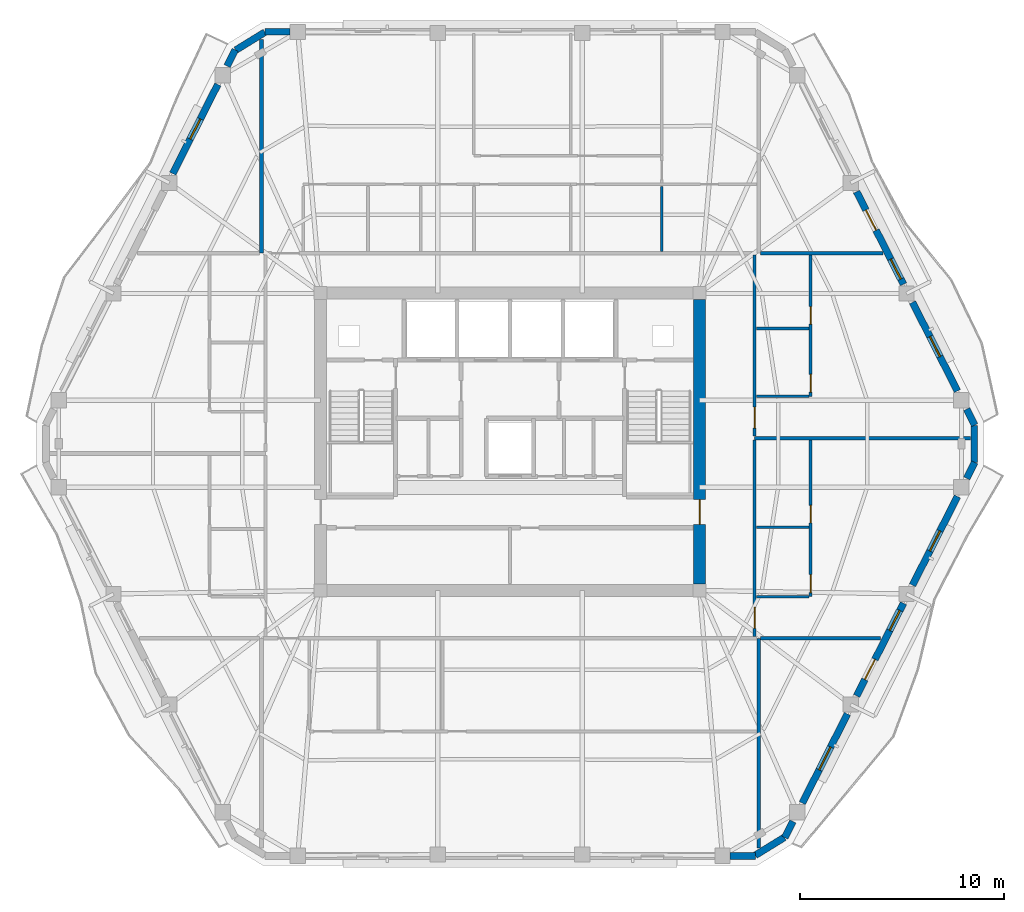
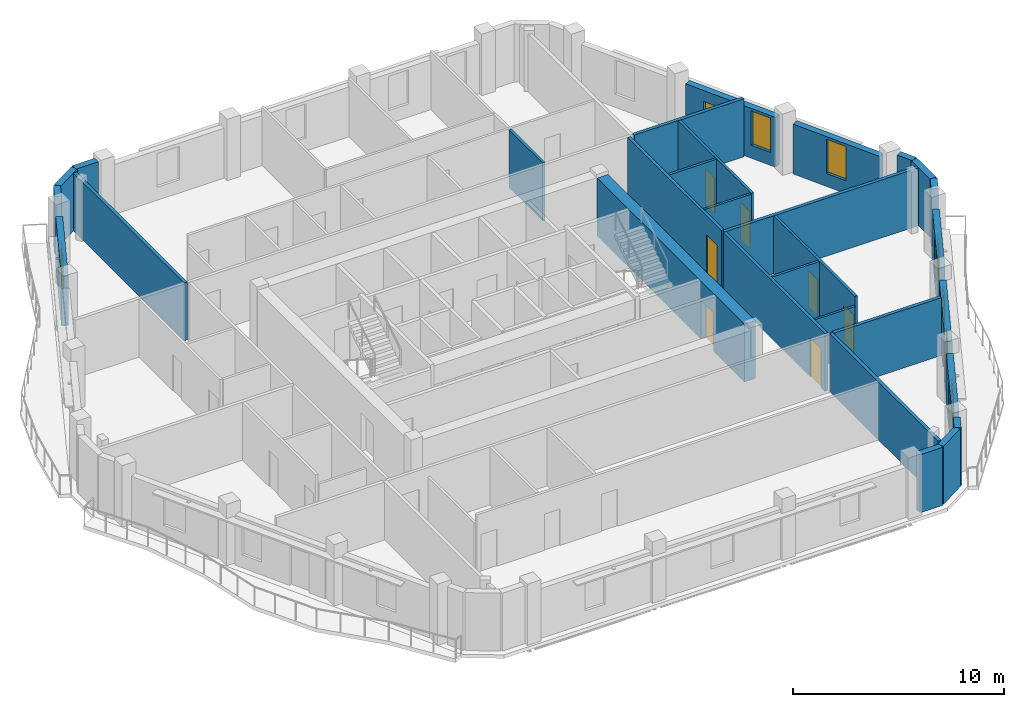
# One storey, part 6 of 11: 30 walls, 9 doors, 6 windows, 15 openings.
"""IFC4 building model written with IfcOpenShell, lengths in metres."""

import ifcopenshell
import ifcopenshell.guid

model = None  # the IFC model being written
_history = None  # IfcOwnerHistory: only IFC2X3 demands one
_inside = {}  # id of a spatial element -> (the spatial element, [elements in it])
_under = {}  # id of a project, library or spatial element -> (it, [spatial elements below it])
_declared = {}  # id of a project -> (the project, [libraries it declares])
_typed = {}  # id of a type object -> (the type object, [elements of that type])
_made_of = {}  # id of a material, layer set ... -> (it, [elements and type objects made of it])


def new_model(schema):
    """Start an empty IFC model of exactly this schema.

    Asked for "IFC4X3", IfcOpenShell would pick the latest addendum, in which some entities
    have other attributes; the version numbers below select the first issue.
    IFC2X3 requires an IfcOwnerHistory on every rooted entity: one is made here for all.
    """
    global model, _history
    if schema == "IFC4X3":
        model = ifcopenshell.file(schema_version=(4, 3, 0, 0))
    else:
        model = ifcopenshell.file(schema=schema)
    _inside.clear()
    _under.clear()
    _declared.clear()
    _typed.clear()
    _made_of.clear()
    _history = None
    if model.schema == "IFC2X3":
        org = make("IfcOrganization", Name="unknown")
        user = make(
            "IfcPersonAndOrganization",
            ThePerson=make("IfcPerson", FamilyName="unknown"),
            TheOrganization=org,
        )
        app = make(
            "IfcApplication",
            ApplicationDeveloper=org,
            Version="unknown",
            ApplicationFullName="unknown",
            ApplicationIdentifier="unknown",
        )
        _history = make(
            "IfcOwnerHistory",
            OwningUser=user,
            OwningApplication=app,
            ChangeAction="ADDED",
            CreationDate=0,
        )
    return model


def make(cls, **values):
    """One entity of the class cls with the attributes given. An attribute that is None is left unset."""
    return model.create_entity(
        cls, **{name: value for name, value in values.items() if value is not None}
    )


def rooted(cls, **values):
    """An entity with a GlobalId (a new one), such as an element, a storey or a relation."""
    return make(cls, GlobalId=ifcopenshell.guid.new(), OwnerHistory=_history, **values)


def si_unit(unit_type, name, prefix=None):
    """IfcSIUnit, for example si_unit("LENGTHUNIT", "METRE", prefix="MILLI")."""
    return make("IfcSIUnit", UnitType=unit_type, Prefix=prefix, Name=name)


def assignment(units):
    """IfcUnitAssignment: the units of a project."""
    return None if units is None else make("IfcUnitAssignment", Units=units)


def point(xyz):
    """IfcCartesianPoint."""
    return None if xyz is None else make("IfcCartesianPoint", Coordinates=xyz)


def direction(xyz):
    """IfcDirection."""
    return None if xyz is None else make("IfcDirection", DirectionRatios=xyz)


def frame(location, z_axis=None, x_axis=None):
    """IfcAxis2Placement3D, a coordinate frame: its origin and axes. An axis left out is left unset."""
    return make(
        "IfcAxis2Placement3D",
        Location=point(location),
        Axis=direction(z_axis),
        RefDirection=direction(x_axis),
    )


def frame_2d(location, x_axis=None):
    """IfcAxis2Placement2D, a coordinate frame in the plane: its origin and x axis."""
    return make(
        "IfcAxis2Placement2D", Location=point(location), RefDirection=direction(x_axis)
    )


def origin():
    """The frame at (0, 0, 0) with its axes left unset."""
    return frame((0.0, 0.0, 0.0))


def place(relative_to, where):
    """IfcLocalPlacement: puts the frame where relative to a parent placement (None: the world)."""
    return make(
        "IfcLocalPlacement", PlacementRelTo=relative_to, RelativePlacement=where
    )


def context(
    kind, dimensions, precision=None, world=None, true_north=None, identifier=None
):
    """IfcGeometricRepresentationContext, for example the 3D "Model" context."""
    return make(
        "IfcGeometricRepresentationContext",
        ContextIdentifier=identifier,
        ContextType=kind,
        CoordinateSpaceDimension=dimensions,
        Precision=precision,
        WorldCoordinateSystem=world,
        TrueNorth=true_north,
    )


def subcontext(parent, identifier, kind, view, scale=None):
    """IfcGeometricRepresentationSubContext, for example "Body" below "Model"."""
    return make(
        "IfcGeometricRepresentationSubContext",
        ContextIdentifier=identifier,
        ContextType=kind,
        ParentContext=parent,
        TargetScale=scale,
        TargetView=view,
    )


def project(units=None, contexts=None):
    """IfcProject with its units and contexts."""
    return rooted(
        "IfcProject",
        Name="project",
        RepresentationContexts=contexts,
        UnitsInContext=assignment(units),
    )


def spatial(cls, under=None, at=None, **own):
    """A site, building, storey or space (cls), placed at a placement, below another one or the project."""
    s = rooted(cls, ObjectPlacement=at, **own)
    if under is not None:
        _under.setdefault(under.id(), (under, []))[1].append(s)
    return s


def profile(cls, at=None, kind="AREA", **sizes):
    """A parametric profile (cls). Its sizes go by their IFC names, for example OverallWidth=200.0."""
    return make(cls, ProfileType=kind, Position=at, **sizes)


def rectangle(**sizes):
    """IfcRectangleProfileDef."""
    return profile("IfcRectangleProfileDef", **sizes)


def extrude(swept, where, along, depth):
    """IfcExtrudedAreaSolid: the profile swept, set in the frame where, extruded along a direction by depth."""
    return make(
        "IfcExtrudedAreaSolid",
        SweptArea=swept,
        Position=where,
        ExtrudedDirection=direction(along),
        Depth=depth,
    )


def shape(context_of_items, identifier, shape_type, items):
    """IfcShapeRepresentation: the items that make up one representation, for example the "Body"."""
    return make(
        "IfcShapeRepresentation",
        ContextOfItems=context_of_items,
        RepresentationIdentifier=identifier,
        RepresentationType=shape_type,
        Items=items,
    )


def material(Name=None, Category=None):
    """IfcMaterial."""
    return make("IfcMaterial", Name=Name, Category=Category)


def layer(
    of_material, thickness, ventilated=None, Name=None, Category=None, Priority=None
):
    """IfcMaterialLayer: one layer of a wall or slab, of a material (None: an air gap)."""
    return make(
        "IfcMaterialLayer",
        Material=of_material,
        LayerThickness=thickness,
        IsVentilated=ventilated,
        Name=Name,
        Category=Category,
        Priority=Priority,
    )


def layer_set(layers, Name=None):
    """IfcMaterialLayerSet."""
    return make("IfcMaterialLayerSet", MaterialLayers=layers, LayerSetName=Name)


def made_of(thing, what):
    """Note that an element or type object is made of a material, layer set ...; save() writes the relation."""
    if what is not None:
        _made_of.setdefault(what.id(), (what, []))[1].append(thing)
    return thing


def type_object(cls, material=None, **own):
    """A type object (cls), such as IfcWallType, which elements share."""
    return made_of(rooted(cls, **own), material)


def element(
    cls,
    number,
    at=None,
    inside=None,
    cuts=None,
    type_object=None,
    material=None,
    context=None,
    identifier="Body",
    shape_type=None,
    held_by="IfcProductDefinitionShape",
    body=None,
    shapes=None,
    **own,
):
    """One element of the class cls, such as IfcWall. Its Tag is "e" and its number.

    at: its placement. inside: the storey or other place that contains it. cuts: it is an
    opening in that element (IfcRelVoidsElement). A single representation is given by context,
    identifier, shape_type and body (its items); several are given by shapes. held_by: the class
    of the entity that holds the representations. save() writes the other relations.
    """
    e = rooted(cls, Tag="e%d" % number, ObjectPlacement=at, **own)
    if body is not None:
        shapes = [shape(context, identifier, shape_type, body)]
    if shapes is not None:
        e.Representation = make(held_by, Representations=shapes)
    if inside is not None:
        _inside.setdefault(inside.id(), (inside, []))[1].append(e)
    if cuts is not None:
        rooted(
            "IfcRelVoidsElement", RelatingBuildingElement=cuts, RelatedOpeningElement=e
        )
    if type_object is not None:
        _typed.setdefault(type_object.id(), (type_object, []))[1].append(e)
    return made_of(e, material)


def fill(opening, filler):
    """IfcRelFillsElement: the door or window that sits in an opening."""
    return rooted(
        "IfcRelFillsElement",
        RelatingOpeningElement=opening,
        RelatedBuildingElement=filler,
    )


def aggregate(whole, parts):
    """IfcRelAggregates: a whole, such as a stair, and the parts it consists of."""
    return rooted("IfcRelAggregates", RelatingObject=whole, RelatedObjects=parts)


def save(model, path):
    """Write the relations noted so far, then the file.

    IfcRelAggregates (storeys below a building ...), IfcRelContainedInSpatialStructure (elements
    in a storey), IfcRelDefinesByType, IfcRelAssociatesMaterial and IfcRelDeclares: one each for
    every whole, place, type object, material and project.
    """
    for whole, parts in _under.values():
        aggregate(whole, parts)
    for where, things in _inside.values():
        rooted(
            "IfcRelContainedInSpatialStructure",
            RelatedElements=things,
            RelatingStructure=where,
        )
    for kind, things in _typed.values():
        rooted("IfcRelDefinesByType", RelatedObjects=things, RelatingType=kind)
    for what, things in _made_of.values():
        rooted("IfcRelAssociatesMaterial", RelatedObjects=things, RelatingMaterial=what)
    for by, libraries in _declared.values():
        rooted("IfcRelDeclares", RelatingContext=by, RelatedDefinitions=libraries)
    model.write(path)


model = new_model("IFC4")

# Units and contexts
model_context = context("Model", 3, precision=1e-05, world=origin(), true_north=direction((0.0, 1.0)))
body_context = subcontext(model_context, "Body", "Model", "MODEL_VIEW")
ifc_project = project(units=[si_unit("LENGTHUNIT", "METRE"), si_unit("AREAUNIT", "SQUARE_METRE"), si_unit("VOLUMEUNIT", "CUBIC_METRE"), si_unit("PLANEANGLEUNIT", "RADIAN"), si_unit("MASSUNIT", "GRAM", prefix="KILO")], contexts=[model_context])

# Site, building, storey
site_placement = place(None, origin())
site = spatial("IfcSite", under=ifc_project, at=site_placement, CompositionType="ELEMENT")
building_placement = place(site_placement, origin())
building = spatial("IfcBuilding", under=site, at=building_placement, Name="Cinnabar Lancet Tower", CompositionType="ELEMENT")
storey_placement = place(building_placement, frame((0.0, 0.0, 214.5)))
storey = spatial("IfcBuildingStorey", under=building, at=storey_placement, Name="L57", CompositionType="ELEMENT", Elevation=214.5)

# Wall, opening, door
ifc_material_1 = material(Name="Acoustic twin-stud gypsum partition", Category="gypsum")
ifc_layer_1 = layer(ifc_material_1, 0.159912109375)
ifc_layer_set_1 = layer_set([ifc_layer_1], Name="Acoustic twin-stud gypsum partition")
wall_type_1 = type_object("IfcWallType", Name="ARC-WL-CORR-160", PredefinedType="PARTITIONING", material=ifc_layer_set_1)
wall_1_placement = place(storey_placement, frame((44.39990234375, 16.344970703125, 0.0), z_axis=(0.0, 0.0, 1.0), x_axis=(0.0, 1.0, 0.0)))
wall_1 = element("IfcWall", 1, at=wall_1_placement, inside=storey, type_object=wall_type_1, Name="UW-L57-E01-COR", PredefinedType="PARTITIONING", context=body_context, shape_type="SweptSolid", body=[
    extrude(rectangle(XDim=9.637939453125, YDim=0.159912109375, at=frame_2d((4.81884765625, 0.0))), origin(), (0.0, 0.0, 1.0), 3.35009765625),
])
opening_1_placement = place(wall_1_placement, frame((0.39990234375, 0.0, 0.0)))
opening_1 = element("IfcOpeningElement", 2, at=opening_1_placement, cuts=wall_1, Name="Opening UD-01", PredefinedType="OPENING", context=body_context, shape_type="SweptSolid", body=[
    extrude(rectangle(XDim=1.02001953125, YDim=2.25, at=frame_2d((0.510009765625, 1.125))), frame((0.0, 0.08984375, 0.0), z_axis=(0.0, -1.0, 0.0), x_axis=(1.0, 0.0, 0.0)), (0.0, 0.0, 1.0), 0.179931640625),
])
ifc_material_2 = material(Name="Solid timber fire-rated apartment entrance door", Category="wood")
door_type_1 = type_object("IfcDoorType", Name="ARC-DR-UNIT", OperationType="NOTDEFINED", PredefinedType="DOOR", material=ifc_material_2)
door_1_placement = place(opening_1_placement, origin())
door_1 = element("IfcDoor", 3, at=door_1_placement, inside=storey, type_object=door_type_1, Name="DR-L57-E01-ENT", OperationType="SINGLE_SWING_RIGHT", OverallHeight=2.25, OverallWidth=1.02001953125, PredefinedType="DOOR", context=body_context, shape_type="SweptSolid", body=[
    extrude(rectangle(XDim=1.02001953125, YDim=2.25, at=frame_2d((0.510009765625, 1.125))), frame((0.0, 0.02490234375, 0.0), z_axis=(0.0, -1.0, 0.0), x_axis=(1.0, 0.0, 0.0)), (0.0, 0.0, 1.0), 0.050048828125),
])
fill(opening_1, door_1)

wall_2_placement = place(storey_placement, frame((44.39990234375, 26.173095703125, 0.0), z_axis=(0.0, 0.0, 1.0), x_axis=(0.0, 1.0, 0.0)))
wall_2 = element("IfcWall", 4, at=wall_2_placement, inside=storey, type_object=wall_type_1, Name="UW-L57-E02-COR", PredefinedType="PARTITIONING", context=body_context, shape_type="SweptSolid", body=[
    extrude(rectangle(XDim=8.8818359375, YDim=0.159912109375, at=frame_2d((4.44091796875, 0.0))), origin(), (0.0, 0.0, 1.0), 3.35009765625),
])
opening_2_placement = place(wall_2_placement, frame((0.39990234375, 0.0, 0.0)))
opening_2 = element("IfcOpeningElement", 5, at=opening_2_placement, cuts=wall_2, Name="Opening UD-01", PredefinedType="OPENING", context=body_context, shape_type="SweptSolid", body=[
    extrude(rectangle(XDim=1.02001953125, YDim=2.25, at=frame_2d((0.510009765625, 1.125))), frame((0.0, 0.08984375, 0.0), z_axis=(0.0, -1.0, 0.0), x_axis=(1.0, 0.0, 0.0)), (0.0, 0.0, 1.0), 0.179931640625),
])
door_2_placement = place(opening_2_placement, origin())
door_2 = element("IfcDoor", 6, at=door_2_placement, inside=storey, type_object=door_type_1, Name="DR-L57-E02-ENT", OperationType="SINGLE_SWING_LEFT", OverallHeight=2.25, OverallWidth=1.02001953125, PredefinedType="DOOR", context=body_context, shape_type="SweptSolid", body=[
    extrude(rectangle(XDim=1.02001953125, YDim=2.25, at=frame_2d((0.510009765625, 1.125))), frame((0.0, 0.02490234375, 0.0), z_axis=(0.0, -1.0, 0.0), x_axis=(1.0, 0.0, 0.0)), (0.0, 0.0, 1.0), 0.050048828125),
])
fill(opening_2, door_2)

# Walls
ifc_material_3 = material(Name="Fire-rated twin-frame acoustic drywall", Category="gypsum")
ifc_layer_2 = layer(ifc_material_3, 0.179931640625)
ifc_layer_set_2 = layer_set([ifc_layer_2], Name="Fire-rated twin-frame acoustic drywall")
wall_type_2 = type_object("IfcWallType", Name="ARC-WL-PARTY-180", PredefinedType="PARTITIONING", material=ifc_layer_set_2)
wall_3_placement = place(storey_placement, frame((44.60009765625, 5.968017578125, 0.0), z_axis=(0.0, 0.0, 1.0), x_axis=(0.0, 1.0, 0.0)))
element("IfcWall", 7, at=wall_3_placement, inside=storey, type_object=wall_type_2, Name="PW-L57-SPTY-446", PredefinedType="PARTITIONING", context=body_context, shape_type="SweptSolid", body=[
    extrude(rectangle(XDim=10.281982421875, YDim=0.179931640625, at=frame_2d((5.14111328125, 0.0))), origin(), (0.0, 0.0, 1.0), 3.35009765625),
])
wall_4_placement = place(storey_placement, frame((20.199951171875, 35.14990234375, 0.0), z_axis=(0.0, 0.0, 1.0), x_axis=(0.0, 1.0, 0.0)))
element("IfcWall", 8, at=wall_4_placement, inside=storey, type_object=wall_type_2, Name="PW-L57-NPTY-202", PredefinedType="PARTITIONING", context=body_context, shape_type="SweptSolid", body=[
    extrude(rectangle(XDim=10.482177734375, YDim=0.179931640625, at=frame_2d((5.2412109375, 0.0))), origin(), (0.0, 0.0, 1.0), 3.35009765625),
])
wall_5_placement = place(storey_placement, frame((44.695068359375, 16.25, 0.0), z_axis=(0.0, 0.0, 1.0), x_axis=(1.0, 0.0, 0.0)))
element("IfcWall", 9, at=wall_5_placement, inside=storey, type_object=wall_type_2, Name="PW-L57-ESB", PredefinedType="PARTITIONING", context=body_context, shape_type="SweptSolid", body=[
    extrude(rectangle(XDim=5.89404296875, YDim=0.179931640625, at=frame_2d((2.947021484375, 0.0))), origin(), (0.0, 0.0, 1.0), 3.35009765625),
])
wall_6_placement = place(storey_placement, frame((44.695068359375, 35.14990234375, 0.0), z_axis=(0.0, 0.0, 1.0), x_axis=(1.0, 0.0, 0.0)))
element("IfcWall", 10, at=wall_6_placement, inside=storey, type_object=wall_type_2, Name="PW-L57-ENB", PredefinedType="PARTITIONING", context=body_context, shape_type="SweptSolid", body=[
    extrude(rectangle(XDim=5.994873046875, YDim=0.179931640625, at=frame_2d((2.99755859375, 0.0))), origin(), (0.0, 0.0, 1.0), 3.35009765625),
])
wall_7_placement = place(storey_placement, frame((44.39990234375, 26.077880859375, 0.0), z_axis=(0.0, 0.0, 1.0), x_axis=(1.0, 0.0, 0.0)))
element("IfcWall", 11, at=wall_7_placement, inside=storey, type_object=wall_type_2, Name="PW-L57-EPTY-1", PredefinedType="PARTITIONING", context=body_context, shape_type="SweptSolid", body=[
    extrude(rectangle(XDim=10.60302734375, YDim=0.179931640625, at=frame_2d((5.301513671875, 0.0))), origin(), (0.0, 0.0, 1.0), 3.35009765625),
])
ifc_material_4 = material(Name="Gypsum plasterboard stud partition", Category="gypsum")
ifc_layer_3 = layer(ifc_material_4, 0.125)
ifc_layer_set_3 = layer_set([ifc_layer_3], Name="Gypsum plasterboard stud partition")
wall_type_3 = type_object("IfcWallType", Name="ARC-WL-UNIT-125", PredefinedType="PARTITIONING", material=ifc_layer_set_3)
wall_8_placement = place(storey_placement, frame((44.485107421875, 18.300048828125, 0.0), z_axis=(0.0, 0.0, 1.0), x_axis=(1.0, 0.0, 0.0)))
element("IfcWall", 12, at=wall_8_placement, inside=storey, type_object=wall_type_3, Name="UW-L57-E01-FOYN", PredefinedType="PARTITIONING", context=body_context, shape_type="SweptSolid", body=[
    extrude(rectangle(XDim=2.579833984375, YDim=0.125, at=frame_2d((1.2900390625, 0.0))), origin(), (0.0, 0.0, 1.0), 2.806884765625),
])
wall_9_placement = place(storey_placement, frame((44.485107421875, 28.1279296875, 0.0), z_axis=(0.0, 0.0, 1.0), x_axis=(1.0, 0.0, 0.0)))
element("IfcWall", 13, at=wall_9_placement, inside=storey, type_object=wall_type_3, Name="UW-L57-E02-FOYN", PredefinedType="PARTITIONING", context=body_context, shape_type="SweptSolid", body=[
    extrude(rectangle(XDim=2.579833984375, YDim=0.125, at=frame_2d((1.2900390625, 0.0))), origin(), (0.0, 0.0, 1.0), 3.35009765625),
])
ifc_material_5 = material(Name="Moisture-resistant cement-board plumbing wall", Category="masonry")
ifc_layer_4 = layer(ifc_material_5, 0.139892578125)
ifc_layer_set_4 = layer_set([ifc_layer_4], Name="Moisture-resistant cement-board plumbing wall")
wall_type_4 = type_object("IfcWallType", Name="ARC-WL-WET-140", PredefinedType="PLUMBINGWALL", material=ifc_layer_set_4)
wall_10_placement = place(storey_placement, frame((39.846923828125, 35.235107421875, 0.0), z_axis=(0.0, 0.0, 1.0), x_axis=(0.0, 1.0, 0.0)))
element("IfcWall", 14, at=wall_10_placement, inside=storey, type_object=wall_type_4, Name="UW-L57-N01-UT3", PredefinedType="PLUMBINGWALL", context=body_context, shape_type="SweptSolid", body=[
    extrude(rectangle(XDim=3.19384765625, YDim=0.139892578125, at=frame_2d((1.596923828125, 0.0))), origin(), (0.0, 0.0, 1.0), 3.35009765625),
])

# Wall, openings, doors
wall_11_placement = place(storey_placement, frame((47.14990234375, 18.300048828125, 0.0), z_axis=(0.0, 0.0, 1.0), x_axis=(0.0, 1.0, 0.0)))
wall_11 = element("IfcWall", 15, at=wall_11_placement, inside=storey, type_object=wall_type_4, Name="UW-L57-E01-SPL", PredefinedType="PLUMBINGWALL", context=body_context, shape_type="SweptSolid", body=[
    extrude(rectangle(XDim=7.682861328125, YDim=0.139892578125, at=frame_2d((3.84130859375, 0.0))), origin(), (0.0, 0.0, 1.0), 3.35009765625),
])
opening_3_placement = place(wall_11_placement, frame((3.6201171875, 0.0, 0.0)))
opening_3 = element("IfcOpeningElement", 16, at=opening_3_placement, cuts=wall_11, Name="Opening BD-01", PredefinedType="OPENING", context=body_context, shape_type="SweptSolid", body=[
    extrude(rectangle(XDim=0.860107421875, YDim=2.10009765625, at=frame_2d((0.43017578125, 1.050048828125))), frame((0.0, 0.079833984375, 0.0), z_axis=(0.0, -1.0, 0.0), x_axis=(1.0, 0.0, 0.0)), (0.0, 0.0, 1.0), 0.159912109375),
])
opening_4_placement = place(wall_11_placement, frame((0.199951171875, 0.0, 0.0)))
opening_4 = element("IfcOpeningElement", 17, at=opening_4_placement, cuts=wall_11, Name="Opening RD-02", PredefinedType="OPENING", context=body_context, shape_type="SweptSolid", body=[
    extrude(rectangle(XDim=0.8798828125, YDim=2.14990234375, at=frame_2d((0.43994140625, 1.074951171875))), frame((0.0, 0.079833984375, 0.0), z_axis=(0.0, -1.0, 0.0), x_axis=(1.0, 0.0, 0.0)), (0.0, 0.0, 1.0), 0.159912109375),
])
ifc_material_6 = material(Name="Moisture-resistant timber bathroom door", Category="wood")
door_type_2 = type_object("IfcDoorType", Name="ARC-DR-BATH", OperationType="NOTDEFINED", PredefinedType="DOOR", material=ifc_material_6)
door_3_placement = place(opening_3_placement, origin())
door_3 = element("IfcDoor", 18, at=door_3_placement, inside=storey, type_object=door_type_2, Name="DR-L57-E01-BTH", OperationType="SINGLE_SWING_RIGHT", OverallHeight=2.10009765625, OverallWidth=0.860107421875, PredefinedType="DOOR", context=body_context, shape_type="SweptSolid", body=[
    extrude(rectangle(XDim=0.860107421875, YDim=2.10009765625, at=frame_2d((0.43017578125, 1.050048828125))), frame((0.0, 0.02490234375, 0.0), z_axis=(0.0, -1.0, 0.0), x_axis=(1.0, 0.0, 0.0)), (0.0, 0.0, 1.0), 0.050048828125),
])
fill(opening_3, door_3)
ifc_material_7 = material(Name="Engineered timber study door", Category="wood")
door_type_3 = type_object("IfcDoorType", Name="ARC-DR-STUDY", OperationType="NOTDEFINED", PredefinedType="DOOR", material=ifc_material_7)
door_4_placement = place(opening_4_placement, origin())
door_4 = element("IfcDoor", 19, at=door_4_placement, inside=storey, type_object=door_type_3, Name="DR-L57-E01-KIT", OperationType="SINGLE_SWING_LEFT", OverallHeight=2.14990234375, OverallWidth=0.8798828125, PredefinedType="DOOR", context=body_context, shape_type="SweptSolid", body=[
    extrude(rectangle(XDim=0.8798828125, YDim=2.14990234375, at=frame_2d((0.43994140625, 1.074951171875))), frame((0.0, 0.02490234375, 0.0), z_axis=(0.0, -1.0, 0.0), x_axis=(1.0, 0.0, 0.0)), (0.0, 0.0, 1.0), 0.050048828125),
])
fill(opening_4, door_4)

# Wall
wall_12_placement = place(storey_placement, frame((44.485107421875, 21.699951171875, 0.0), z_axis=(0.0, 0.0, 1.0), x_axis=(1.0, 0.0, 0.0)))
element("IfcWall", 20, at=wall_12_placement, inside=storey, type_object=wall_type_4, Name="UW-L57-E01-KDV", PredefinedType="PLUMBINGWALL", context=body_context, shape_type="SweptSolid", body=[
    extrude(rectangle(XDim=2.579833984375, YDim=0.139892578125, at=frame_2d((1.2900390625, 0.0))), origin(), (0.0, 0.0, 1.0), 3.35009765625),
])

# Wall, openings, doors
wall_13_placement = place(storey_placement, frame((47.14990234375, 28.1279296875, 0.0), z_axis=(0.0, 0.0, 1.0), x_axis=(0.0, 1.0, 0.0)))
wall_13 = element("IfcWall", 21, at=wall_13_placement, inside=storey, type_object=wall_type_4, Name="UW-L57-E02-SPL", PredefinedType="PLUMBINGWALL", context=body_context, shape_type="SweptSolid", body=[
    extrude(rectangle(XDim=6.927001953125, YDim=0.139892578125, at=frame_2d((3.46337890625, 0.0))), origin(), (0.0, 0.0, 1.0), 3.35009765625),
])
opening_5_placement = place(wall_13_placement, frame((3.544921875, 0.0, 0.0)))
opening_5 = element("IfcOpeningElement", 22, at=opening_5_placement, cuts=wall_13, Name="Opening BD-01", PredefinedType="OPENING", context=body_context, shape_type="SweptSolid", body=[
    extrude(rectangle(XDim=0.860107421875, YDim=2.10009765625, at=frame_2d((0.43017578125, 1.050048828125))), frame((0.0, 0.079833984375, 0.0), z_axis=(0.0, -1.0, 0.0), x_axis=(1.0, 0.0, 0.0)), (0.0, 0.0, 1.0), 0.159912109375),
])
opening_6_placement = place(wall_13_placement, frame((0.199951171875, 0.0, 0.0)))
opening_6 = element("IfcOpeningElement", 23, at=opening_6_placement, cuts=wall_13, Name="Opening RD-02", PredefinedType="OPENING", context=body_context, shape_type="SweptSolid", body=[
    extrude(rectangle(XDim=0.8798828125, YDim=2.14990234375, at=frame_2d((0.43994140625, 1.074951171875))), frame((0.0, 0.079833984375, 0.0), z_axis=(0.0, -1.0, 0.0), x_axis=(1.0, 0.0, 0.0)), (0.0, 0.0, 1.0), 0.159912109375),
])
door_5_placement = place(opening_5_placement, origin())
door_5 = element("IfcDoor", 24, at=door_5_placement, inside=storey, type_object=door_type_2, Name="DR-L57-E02-BTH", OperationType="SINGLE_SWING_LEFT", OverallHeight=2.10009765625, OverallWidth=0.860107421875, PredefinedType="DOOR", context=body_context, shape_type="SweptSolid", body=[
    extrude(rectangle(XDim=0.860107421875, YDim=2.10009765625, at=frame_2d((0.43017578125, 1.050048828125))), frame((0.0, 0.02490234375, 0.0), z_axis=(0.0, -1.0, 0.0), x_axis=(1.0, 0.0, 0.0)), (0.0, 0.0, 1.0), 0.050048828125),
])
fill(opening_5, door_5)
door_6_placement = place(opening_6_placement, origin())
door_6 = element("IfcDoor", 25, at=door_6_placement, inside=storey, type_object=door_type_3, Name="DR-L57-E02-KIT", OperationType="SINGLE_SWING_RIGHT", OverallHeight=2.14990234375, OverallWidth=0.8798828125, PredefinedType="DOOR", context=body_context, shape_type="SweptSolid", body=[
    extrude(rectangle(XDim=0.8798828125, YDim=2.14990234375, at=frame_2d((0.43994140625, 1.074951171875))), frame((0.0, 0.02490234375, 0.0), z_axis=(0.0, -1.0, 0.0), x_axis=(1.0, 0.0, 0.0)), (0.0, 0.0, 1.0), 0.050048828125),
])
fill(opening_6, door_6)

# Walls
wall_14_placement = place(storey_placement, frame((44.485107421875, 31.452880859375, 0.0), z_axis=(0.0, 0.0, 1.0), x_axis=(1.0, 0.0, 0.0)))
element("IfcWall", 26, at=wall_14_placement, inside=storey, type_object=wall_type_4, Name="UW-L57-E02-KDV", PredefinedType="PLUMBINGWALL", context=body_context, shape_type="SweptSolid", body=[
    extrude(rectangle(XDim=2.579833984375, YDim=0.139892578125, at=frame_2d((1.2900390625, 0.0))), origin(), (0.0, 0.0, 1.0), 3.35009765625),
])
ifc_material_8 = material(Name="Cinnabar red clay brick", Category="masonry")
ifc_layer_5 = layer(ifc_material_8, 0.340087890625)
ifc_layer_set_5 = layer_set([ifc_layer_5], Name="Cinnabar red clay brick")
wall_type_5 = type_object("IfcWallType", Name="ENV-WL-BRK-RED-340", PredefinedType="STANDARD", material=ifc_layer_set_5)
wall_15_placement = place(storey_placement, frame((44.43310546875, 5.60498046875, 0.0), z_axis=(0.0, 0.0, 1.0), x_axis=(0.851778214877, 0.523902541185, 0.0)))
element("IfcWall", 27, at=wall_15_placement, inside=storey, type_object=wall_type_5, Name="L57 Chamfered Corner Brick Pier 2.1", PredefinedType="STANDARD", context=body_context, shape_type="SweptSolid", body=[
    extrude(rectangle(XDim=1.677734375, YDim=0.340087890625, at=frame_2d((0.8388671875, 0.0))), origin(), (0.0, 0.0, 1.0), 3.35009765625),
])
wall_16_placement = place(storey_placement, frame((55.177978515625, 24.89208984375, 0.0), z_axis=(0.0, 0.0, 1.0), x_axis=(0.0, 1.0, 0.0)))
element("IfcWall", 28, at=wall_16_placement, inside=storey, type_object=wall_type_5, Name="L57 Chamfered Corner Brick Pier 3.1", PredefinedType="STANDARD", context=body_context, shape_type="SweptSolid", body=[
    extrude(rectangle(XDim=1.81591796875, YDim=0.340087890625, at=frame_2d((0.907958984375, 0.0))), origin(), (0.0, 0.0, 1.0), 3.35009765625),
])
wall_17_placement = place(storey_placement, frame((20.366943359375, 45.9951171875, 0.0), z_axis=(0.0, 0.0, 1.0), x_axis=(-0.851713271379, -0.524008113828, 0.0)))
element("IfcWall", 29, at=wall_17_placement, inside=storey, type_object=wall_type_5, Name="L57 Chamfered Corner Brick Pier 5.1", PredefinedType="STANDARD", context=body_context, shape_type="SweptSolid", body=[
    extrude(rectangle(XDim=1.677734375, YDim=0.340087890625, at=frame_2d((0.8388671875, 0.0))), origin(), (0.0, 0.0, 1.0), 3.35009765625),
])
wall_18_placement = place(storey_placement, frame((43.199951171875, 5.580078125, 0.0), z_axis=(0.0, 0.0, 1.0), x_axis=(1.0, 0.0, 0.0)))
element("IfcWall", 30, at=wall_18_placement, inside=storey, type_object=wall_type_5, Name="L57 Face 1 Masonry Bay Wall 5", PredefinedType="STANDARD", context=body_context, shape_type="SweptSolid", body=[
    extrude(rectangle(XDim=1.238037109375, YDim=0.340087890625, at=frame_2d((0.619140625, 0.0))), origin(), (0.0, 0.0, 1.0), 3.35009765625),
])
wall_19_placement = place(storey_placement, frame((45.882080078125, 6.468017578125, 0.0), z_axis=(0.0, 0.0, 1.0), x_axis=(0.451597983141, 0.892221531697, 0.0)))
element("IfcWall", 31, at=wall_19_placement, inside=storey, type_object=wall_type_5, Name="L57 Face 2 Masonry Bay Wall 1", PredefinedType="STANDARD", context=body_context, shape_type="SweptSolid", body=[
    extrude(rectangle(XDim=0.889892578125, YDim=0.340087890625, at=frame_2d((0.44482421875, 0.0))), origin(), (0.0, 0.0, 1.0), 3.35009765625),
])

# Wall, opening, window
wall_20_placement = place(storey_placement, frame((46.739990234375, 8.1640625, 0.0), z_axis=(0.0, 0.0, 1.0), x_axis=(0.451544279509, 0.892248711763, 0.0)))
wall_20 = element("IfcWall", 32, at=wall_20_placement, inside=storey, type_object=wall_type_5, Name="L57 Face 2 Masonry Bay Wall 2", PredefinedType="STANDARD", context=body_context, shape_type="SweptSolid", body=[
    extrude(rectangle(XDim=4.909912109375, YDim=0.340087890625, at=frame_2d((2.455078125, 0.0))), origin(), (0.0, 0.0, 1.0), 2.883056640625),
])
opening_7_placement = place(wall_20_placement, frame((1.830078125, 0.0, 0.75)))
opening_7 = element("IfcOpeningElement", 33, at=opening_7_placement, cuts=wall_20, Name="Opening WN-03", PredefinedType="OPENING", context=body_context, shape_type="SweptSolid", body=[
    extrude(rectangle(XDim=1.25, YDim=1.949951171875, at=frame_2d((0.625, 0.97509765625))), frame((0.0, 0.179931640625, 0.0), z_axis=(0.0, -1.0, 0.0), x_axis=(1.0, 0.0, 0.0)), (0.0, 0.0, 1.0), 0.360107421875),
])
ifc_material_9 = material(Name="Thermally broken bronze-anodized aluminium low-E double glazing", Category="aluminium")
window_type_1 = type_object("IfcWindowType", Name="ENV-WN-LANCET-1250", PartitioningType="SINGLE_PANEL", PredefinedType="WINDOW", material=ifc_material_9)
window_1_placement = place(opening_7_placement, origin())
window_1 = element("IfcWindow", 34, at=window_1_placement, inside=storey, type_object=window_type_1, Name="L57 Face 2 Gothic Lancet Window 2", OverallHeight=1.949951171875, OverallWidth=1.25, PartitioningType="SINGLE_PANEL", PredefinedType="WINDOW", context=body_context, shape_type="SweptSolid", body=[
    extrude(rectangle(XDim=1.25, YDim=1.949951171875, at=frame_2d((0.625, 0.97509765625))), frame((0.0, 0.030029296875, 0.0), z_axis=(0.0, -1.0, 0.0), x_axis=(1.0, 0.0, 0.0)), (0.0, 0.0, 1.0), 0.06005859375),
])
fill(opening_7, window_1)

# Wall, openings, door, window
wall_21_placement = place(storey_placement, frame((49.403076171875, 13.427001953125, 0.0), z_axis=(0.0, 0.0, 1.0), x_axis=(0.451425765525, 0.892308678777, 0.0)))
wall_21 = element("IfcWall", 35, at=wall_21_placement, inside=storey, type_object=wall_type_5, Name="L57 Face 2 Masonry Bay Wall 3", PredefinedType="STANDARD", context=body_context, shape_type="SweptSolid", body=[
    extrude(rectangle(XDim=5.094482421875, YDim=0.340087890625, at=frame_2d((2.54736328125, 0.0))), origin(), (0.0, 0.0, 1.0), 2.883056640625),
])
opening_8_placement = place(wall_21_placement, frame((0.906982421875, 0.0, 0.0)))
opening_8 = element("IfcOpeningElement", 36, at=opening_8_placement, cuts=wall_21, Name="Opening TD-01", PredefinedType="OPENING", context=body_context, shape_type="SweptSolid", body=[
    extrude(rectangle(XDim=1.10009765625, YDim=2.25, at=frame_2d((0.550048828125, 1.125))), frame((0.0, 0.179931640625, 0.0), z_axis=(0.0, -1.0, 0.0), x_axis=(1.0, 0.0, 0.0)), (0.0, 0.0, 1.0), 0.360107421875),
])
opening_9_placement = place(wall_21_placement, frame((3.60009765625, 0.0, 0.75)))
opening_9 = element("IfcOpeningElement", 37, at=opening_9_placement, cuts=wall_21, Name="Opening WN-04", PredefinedType="OPENING", context=body_context, shape_type="SweptSolid", body=[
    extrude(rectangle(XDim=1.10009765625, YDim=1.98291015625, at=frame_2d((0.550048828125, 0.991455078125))), frame((0.0, 0.179931640625, 0.0), z_axis=(0.0, -1.0, 0.0), x_axis=(1.0, 0.0, 0.0)), (0.0, 0.0, 1.0), 0.360107421875),
])
ifc_material_10 = material(Name="Thermally broken low-E glazed balcony terrace door", Category="wood")
door_type_4 = type_object("IfcDoorType", Name="ARC-DR-BALC", OperationType="NOTDEFINED", PredefinedType="DOOR", material=ifc_material_10)
door_7_placement = place(opening_8_placement, origin())
door_7 = element("IfcDoor", 38, at=door_7_placement, inside=storey, type_object=door_type_4, Name="L57 Face 2 Glazed Terrace Door", OperationType="SINGLE_SWING_RIGHT", OverallHeight=2.25, OverallWidth=1.10009765625, PredefinedType="DOOR", context=body_context, shape_type="SweptSolid", body=[
    extrude(rectangle(XDim=1.10009765625, YDim=2.25, at=frame_2d((0.550048828125, 1.125))), frame((0.0, 0.02490234375, 0.0), z_axis=(0.0, -1.0, 0.0), x_axis=(1.0, 0.0, 0.0)), (0.0, 0.0, 1.0), 0.050048828125),
])
fill(opening_8, door_7)
ifc_material_11 = material(Name="Thermally broken bronze-anodized aluminium tall lancet window", Category="aluminium")
window_type_2 = type_object("IfcWindowType", Name="ENV-WN-LANCET-1100", PartitioningType="SINGLE_PANEL", PredefinedType="WINDOW", material=ifc_material_11)
window_2_placement = place(opening_9_placement, origin())
window_2 = element("IfcWindow", 39, at=window_2_placement, inside=storey, type_object=window_type_2, Name="L57 Split-Bay Gothic Lancet Window 197", OverallHeight=1.98291015625, OverallWidth=1.10009765625, PartitioningType="SINGLE_PANEL", PredefinedType="WINDOW", context=body_context, shape_type="SweptSolid", body=[
    extrude(rectangle(XDim=1.10009765625, YDim=1.98291015625, at=frame_2d((0.550048828125, 0.991455078125))), frame((0.0, 0.030029296875, 0.0), z_axis=(0.0, -1.0, 0.0), x_axis=(1.0, 0.0, 0.0)), (0.0, 0.0, 1.0), 0.06005859375),
])
fill(opening_9, window_2)

# Wall, opening, window
wall_22_placement = place(storey_placement, frame((52.14697265625, 18.85302734375, 0.0), z_axis=(0.0, 0.0, 1.0), x_axis=(0.451566029745, 0.892237704191, 0.0)))
wall_22 = element("IfcWall", 40, at=wall_22_placement, inside=storey, type_object=wall_type_5, Name="L57 Face 2 Masonry Bay Wall 4", PredefinedType="STANDARD", context=body_context, shape_type="SweptSolid", body=[
    extrude(rectangle(XDim=4.88525390625, YDim=0.340087890625, at=frame_2d((2.442626953125, 0.0))), origin(), (0.0, 0.0, 1.0), 2.883056640625),
])
opening_10_placement = place(wall_22_placement, frame((1.89306640625, 0.0, 0.75)))
opening_10 = element("IfcOpeningElement", 41, at=opening_10_placement, cuts=wall_22, Name="Opening WN-04", PredefinedType="OPENING", context=body_context, shape_type="SweptSolid", body=[
    extrude(rectangle(XDim=1.10009765625, YDim=1.98291015625, at=frame_2d((0.550048828125, 0.991455078125))), frame((0.0, 0.179931640625, 0.0), z_axis=(0.0, -1.0, 0.0), x_axis=(1.0, 0.0, 0.0)), (0.0, 0.0, 1.0), 0.360107421875),
])
window_3_placement = place(opening_10_placement, origin())
window_3 = element("IfcWindow", 42, at=window_3_placement, inside=storey, type_object=window_type_2, Name="L57 Face 2 Gothic Lancet Window 4", OverallHeight=1.98291015625, OverallWidth=1.10009765625, PartitioningType="SINGLE_PANEL", PredefinedType="WINDOW", context=body_context, shape_type="SweptSolid", body=[
    extrude(rectangle(XDim=1.10009765625, YDim=1.98291015625, at=frame_2d((0.550048828125, 0.991455078125))), frame((0.0, 0.030029296875, 0.0), z_axis=(0.0, -1.0, 0.0), x_axis=(1.0, 0.0, 0.0)), (0.0, 0.0, 1.0), 0.06005859375),
])
fill(opening_10, window_3)

# Walls
wall_23_placement = place(storey_placement, frame((54.805908203125, 24.10693359375, 0.0), z_axis=(0.0, 0.0, 1.0), x_axis=(0.450906649871, 0.892571113751, 0.0)))
element("IfcWall", 43, at=wall_23_placement, inside=storey, type_object=wall_type_5, Name="L57 Face 2 Masonry Bay Wall 5", PredefinedType="STANDARD", context=body_context, shape_type="SweptSolid", body=[
    extrude(rectangle(XDim=0.871826171875, YDim=0.340087890625, at=frame_2d((0.43603515625, 0.0))), origin(), (0.0, 0.0, 1.0), 3.35009765625),
])
wall_24_placement = place(storey_placement, frame((55.198974609375, 26.715087890625, 0.0), z_axis=(0.0, 0.0, 1.0), x_axis=(-0.451019391667, 0.892514150218, 0.0)))
element("IfcWall", 44, at=wall_24_placement, inside=storey, type_object=wall_type_5, Name="L57 Face 3 Masonry Bay Wall 1", PredefinedType="STANDARD", context=body_context, shape_type="SweptSolid", body=[
    extrude(rectangle(XDim=0.87158203125, YDim=0.340087890625, at=frame_2d((0.435791015625, 0.0))), origin(), (0.0, 0.0, 1.0), 3.35009765625),
])

# Wall, opening, window
wall_25_placement = place(storey_placement, frame((54.35302734375, 28.387939453125, 0.0), z_axis=(0.0, 0.0, 1.0), x_axis=(-0.451545895749, 0.892247893824, 0.0)))
wall_25 = element("IfcWall", 45, at=wall_25_placement, inside=storey, type_object=wall_type_5, Name="L57 Face 3 Masonry Bay Wall 2", PredefinedType="STANDARD", context=body_context, shape_type="SweptSolid", body=[
    extrude(rectangle(XDim=4.885498046875, YDim=0.340087890625, at=frame_2d((2.44287109375, 0.0))), origin(), (0.0, 0.0, 1.0), 2.883056640625),
])
opening_11_placement = place(wall_25_placement, frame((1.89306640625, 0.0, 0.75)))
opening_11 = element("IfcOpeningElement", 46, at=opening_11_placement, cuts=wall_25, Name="Opening WN-04", PredefinedType="OPENING", context=body_context, shape_type="SweptSolid", body=[
    extrude(rectangle(XDim=1.10009765625, YDim=1.98291015625, at=frame_2d((0.550048828125, 0.991455078125))), frame((0.0, 0.179931640625, 0.0), z_axis=(0.0, -1.0, 0.0), x_axis=(1.0, 0.0, 0.0)), (0.0, 0.0, 1.0), 0.360107421875),
])
window_4_placement = place(opening_11_placement, origin())
window_4 = element("IfcWindow", 47, at=window_4_placement, inside=storey, type_object=window_type_2, Name="L57 Face 3 Gothic Lancet Window 2", OverallHeight=1.98291015625, OverallWidth=1.10009765625, PartitioningType="SINGLE_PANEL", PredefinedType="WINDOW", context=body_context, shape_type="SweptSolid", body=[
    extrude(rectangle(XDim=1.10009765625, YDim=1.98291015625, at=frame_2d((0.550048828125, 0.991455078125))), frame((0.0, 0.030029296875, 0.0), z_axis=(0.0, -1.0, 0.0), x_axis=(1.0, 0.0, 0.0)), (0.0, 0.0, 1.0), 0.06005859375),
])
fill(opening_11, window_4)

# Wall, openings, door, window
wall_26_placement = place(storey_placement, frame((51.702880859375, 33.626953125, 0.0), z_axis=(0.0, 0.0, 1.0), x_axis=(-0.451406462707, 0.892318443957, 0.0)))
wall_26 = element("IfcWall", 48, at=wall_26_placement, inside=storey, type_object=wall_type_5, Name="L57 Face 3 Masonry Bay Wall 3", PredefinedType="STANDARD", context=body_context, shape_type="SweptSolid", body=[
    extrude(rectangle(XDim=5.0947265625, YDim=0.340087890625, at=frame_2d((2.54736328125, 0.0))), origin(), (0.0, 0.0, 1.0), 2.883056640625),
])
opening_12_placement = place(wall_26_placement, frame((2.97607421875, 0.0, 0.0)))
opening_12 = element("IfcOpeningElement", 49, at=opening_12_placement, cuts=wall_26, Name="Opening TD-01", PredefinedType="OPENING", context=body_context, shape_type="SweptSolid", body=[
    extrude(rectangle(XDim=1.10009765625, YDim=2.25, at=frame_2d((0.550048828125, 1.125))), frame((0.0, 0.179931640625, 0.0), z_axis=(0.0, -1.0, 0.0), x_axis=(1.0, 0.0, 0.0)), (0.0, 0.0, 1.0), 0.360107421875),
])
opening_13_placement = place(wall_26_placement, frame((0.282958984375, 0.0, 0.75)))
opening_13 = element("IfcOpeningElement", 50, at=opening_13_placement, cuts=wall_26, Name="Opening WN-04", PredefinedType="OPENING", context=body_context, shape_type="SweptSolid", body=[
    extrude(rectangle(XDim=1.10009765625, YDim=1.98291015625, at=frame_2d((0.550048828125, 0.991455078125))), frame((0.0, 0.179931640625, 0.0), z_axis=(0.0, -1.0, 0.0), x_axis=(1.0, 0.0, 0.0)), (0.0, 0.0, 1.0), 0.360107421875),
])
door_8_placement = place(opening_12_placement, origin())
door_8 = element("IfcDoor", 51, at=door_8_placement, inside=storey, type_object=door_type_4, Name="L57 Face 3 Glazed Terrace Door", OperationType="SINGLE_SWING_LEFT", OverallHeight=2.25, OverallWidth=1.10009765625, PredefinedType="DOOR", context=body_context, shape_type="SweptSolid", body=[
    extrude(rectangle(XDim=1.10009765625, YDim=2.25, at=frame_2d((0.550048828125, 1.125))), frame((0.0, 0.02490234375, 0.0), z_axis=(0.0, -1.0, 0.0), x_axis=(1.0, 0.0, 0.0)), (0.0, 0.0, 1.0), 0.050048828125),
])
fill(opening_12, door_8)
window_5_placement = place(opening_13_placement, origin())
window_5 = element("IfcWindow", 52, at=window_5_placement, inside=storey, type_object=window_type_2, Name="L57 Split-Bay Gothic Lancet Window 198", OverallHeight=1.98291015625, OverallWidth=1.10009765625, PartitioningType="SINGLE_PANEL", PredefinedType="WINDOW", context=body_context, shape_type="SweptSolid", body=[
    extrude(rectangle(XDim=1.10009765625, YDim=1.98291015625, at=frame_2d((0.550048828125, 0.991455078125))), frame((0.0, 0.030029296875, 0.0), z_axis=(0.0, -1.0, 0.0), x_axis=(1.0, 0.0, 0.0)), (0.0, 0.0, 1.0), 0.06005859375),
])
fill(opening_13, window_5)

# Walls
wall_27_placement = place(storey_placement, frame((21.60009765625, 46.02001953125, 0.0), z_axis=(0.0, 0.0, 1.0), x_axis=(-1.0, 0.0, 0.0)))
element("IfcWall", 53, at=wall_27_placement, inside=storey, type_object=wall_type_5, Name="L57 Face 4 Masonry Bay Wall 5", PredefinedType="STANDARD", context=body_context, shape_type="SweptSolid", body=[
    extrude(rectangle(XDim=1.238037109375, YDim=0.340087890625, at=frame_2d((0.619140625, 0.0))), origin(), (0.0, 0.0, 1.0), 3.35009765625),
])
wall_28_placement = place(storey_placement, frame((18.91796875, 45.132080078125, 0.0), z_axis=(0.0, 0.0, 1.0), x_axis=(-0.451487459758, -0.892277464515, 0.0)))
element("IfcWall", 54, at=wall_28_placement, inside=storey, type_object=wall_type_5, Name="L57 Face 5 Masonry Bay Wall 1", PredefinedType="STANDARD", context=body_context, shape_type="SweptSolid", body=[
    extrude(rectangle(XDim=0.89013671875, YDim=0.340087890625, at=frame_2d((0.445068359375, 0.0))), origin(), (0.0, 0.0, 1.0), 3.35009765625),
])

# Wall, opening, window
wall_29_placement = place(storey_placement, frame((18.06005859375, 43.43603515625, 0.0), z_axis=(0.0, 0.0, 1.0), x_axis=(-0.451524246964, -0.89225884944, 0.0)))
wall_29 = element("IfcWall", 55, at=wall_29_placement, inside=storey, type_object=wall_type_5, Name="L57 Face 5 Masonry Bay Wall 2", PredefinedType="STANDARD", context=body_context, shape_type="SweptSolid", body=[
    extrude(rectangle(XDim=4.91015625, YDim=0.340087890625, at=frame_2d((2.455078125, 0.0))), origin(), (0.0, 0.0, 1.0), 2.883056640625),
])
opening_14_placement = place(wall_29_placement, frame((1.905029296875, 0.0, 0.75)))
opening_14 = element("IfcOpeningElement", 56, at=opening_14_placement, cuts=wall_29, Name="Opening WN-04", PredefinedType="OPENING", context=body_context, shape_type="SweptSolid", body=[
    extrude(rectangle(XDim=1.10009765625, YDim=1.98291015625, at=frame_2d((0.550048828125, 0.991455078125))), frame((0.0, 0.179931640625, 0.0), z_axis=(0.0, -1.0, 0.0), x_axis=(1.0, 0.0, 0.0)), (0.0, 0.0, 1.0), 0.360107421875),
])
window_6_placement = place(opening_14_placement, origin())
window_6 = element("IfcWindow", 57, at=window_6_placement, inside=storey, type_object=window_type_2, Name="L57 Face 5 Gothic Lancet Window 2", OverallHeight=1.98291015625, OverallWidth=1.10009765625, PartitioningType="SINGLE_PANEL", PredefinedType="WINDOW", context=body_context, shape_type="SweptSolid", body=[
    extrude(rectangle(XDim=1.10009765625, YDim=1.98291015625, at=frame_2d((0.550048828125, 0.991455078125))), frame((0.0, 0.030029296875, 0.0), z_axis=(0.0, -1.0, 0.0), x_axis=(1.0, 0.0, 0.0)), (0.0, 0.0, 1.0), 0.06005859375),
])
fill(opening_14, window_6)

# Wall, opening, door
ifc_material_12 = material(Name="Concrete C60/75", Category="concrete")
ifc_layer_6 = layer(ifc_material_12, 0.60009765625)
ifc_layer_set_6 = layer_set([ifc_layer_6], Name="Concrete C60/75")
wall_type_6 = type_object("IfcWallType", Name="STR-WL-CORE-600", PredefinedType="SHEAR", material=ifc_layer_set_6)
wall_30_placement = place(storey_placement, frame((41.699951171875, 18.925048828125, 0.0), z_axis=(0.0, 0.0, 1.0), x_axis=(0.0, 1.0, 0.0)))
wall_30 = element("IfcWall", 58, at=wall_30_placement, inside=storey, type_object=wall_type_6, Name="L57 Core Shear Wall E", PredefinedType="SHEAR", context=body_context, shape_type="SweptSolid", body=[
    extrude(rectangle(XDim=13.949951171875, YDim=0.60009765625, at=frame_2d((6.97509765625, 0.0))), origin(), (0.0, 0.0, 1.0), 3.35009765625),
])
opening_15_placement = place(wall_30_placement, frame((2.9150390625, 0.0, 0.0)))
opening_15 = element("IfcOpeningElement", 59, at=opening_15_placement, cuts=wall_30, Name="Opening FD-02", PredefinedType="OPENING", context=body_context, shape_type="SweptSolid", body=[
    extrude(rectangle(XDim=1.219970703125, YDim=2.25, at=frame_2d((0.60986328125, 1.125))), frame((0.0, 0.31005859375, 0.0), z_axis=(0.0, -1.0, 0.0), x_axis=(1.0, 0.0, 0.0)), (0.0, 0.0, 1.0), 0.6201171875),
])
ifc_material_13 = material(Name="Fire-rated double-vision core portal door", Category="wood")
door_type_5 = type_object("IfcDoorType", Name="ARC-DR-CPORT", OperationType="NOTDEFINED", PredefinedType="DOOR", material=ifc_material_13)
door_9_placement = place(opening_15_placement, origin())
door_9 = element("IfcDoor", 60, at=door_9_placement, inside=storey, type_object=door_type_5, Name="L57 East Core Lobby Fire Door", OperationType="SINGLE_SWING_LEFT", OverallHeight=2.25, OverallWidth=1.219970703125, PredefinedType="DOOR", context=body_context, shape_type="SweptSolid", body=[
    extrude(rectangle(XDim=1.219970703125, YDim=2.25, at=frame_2d((0.60986328125, 1.125))), frame((0.0, 0.02490234375, 0.0), z_axis=(0.0, -1.0, 0.0), x_axis=(1.0, 0.0, 0.0)), (0.0, 0.0, 1.0), 0.050048828125),
])
fill(opening_15, door_9)

save(model, "model.ifc")
